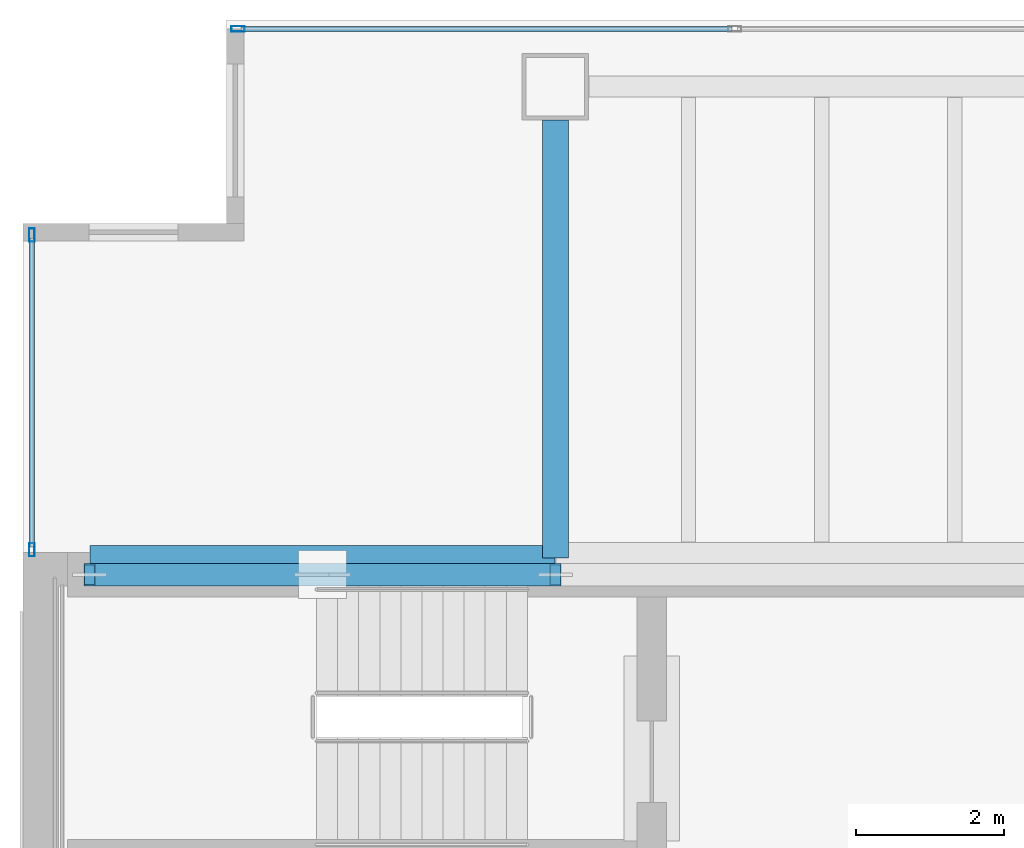
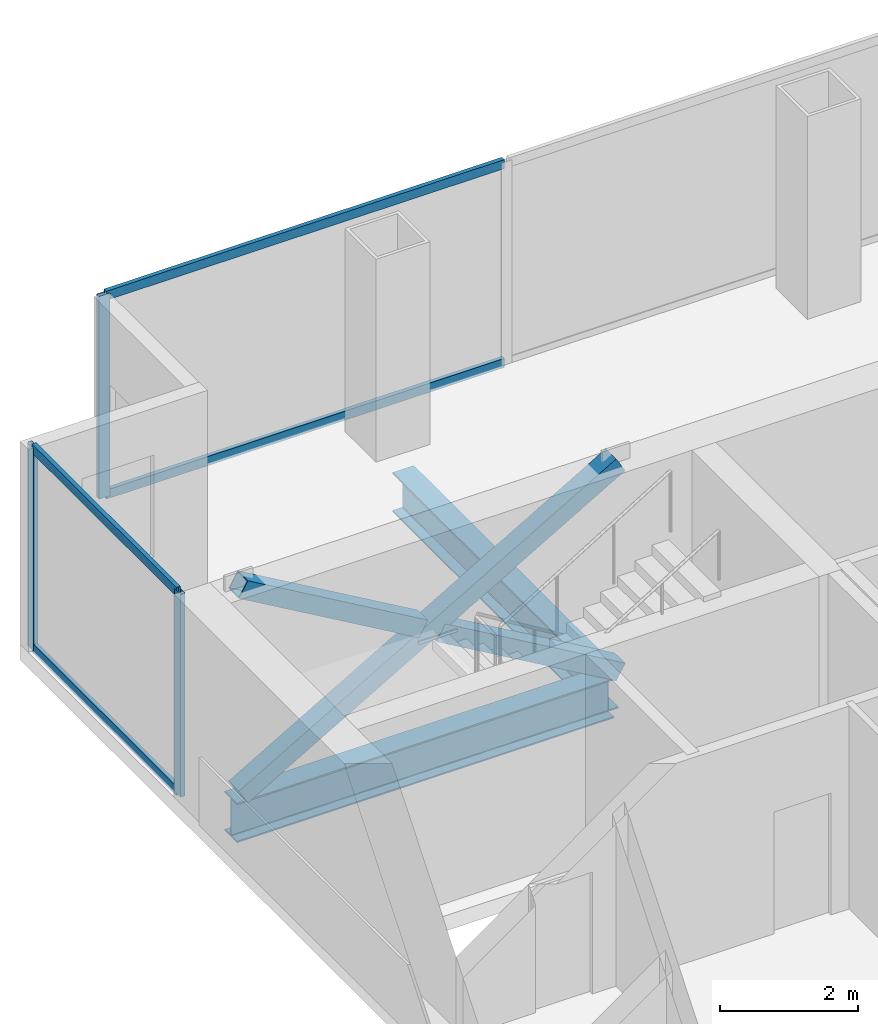
# One storey, part 16 of 24: 10 members, 2 beams, 2 elements without a shape of their own.
"""IFC4 building model written with IfcOpenShell, lengths in metres."""

from ifc_helpers import new_model, si_unit, direction, frame, origin, origin_2d, place, context, subcontext, project, spatial, hollow_rectangle, i_section, extrude, material, material_profile, profile_set, type_object, element, aggregate, save


model = new_model("IFC4")

# Units and contexts
model_context = context("Model", 3, precision=1e-05, world=origin(), true_north=direction((0.0, 1.0)))
body_context = subcontext(model_context, "Body", "Model", "MODEL_VIEW")
ifc_project = project(units=[si_unit("LENGTHUNIT", "METRE"), si_unit("AREAUNIT", "SQUARE_METRE"), si_unit("VOLUMEUNIT", "CUBIC_METRE"), si_unit("PLANEANGLEUNIT", "RADIAN"), si_unit("MASSUNIT", "GRAM", prefix="KILO")], contexts=[model_context])

# Site, building, storey
site_placement = place(None, origin())
site = spatial("IfcSite", under=ifc_project, at=site_placement, CompositionType="ELEMENT")
building_placement = place(site_placement, origin())
building = spatial("IfcBuilding", under=site, at=building_placement, Name="Cobrela Telecom Tower", CompositionType="ELEMENT")
storey_placement = place(building_placement, frame((0.0, 0.0, 121.449951171875)))
storey = spatial("IfcBuildingStorey", under=building, at=storey_placement, Name="L30", CompositionType="ELEMENT", Elevation=121.449951171875)

# Beams
ifc_material_1 = material(Name="Steel ASTM A992 Grade 50", Category="steel")
ifc_material_profile_1 = material_profile(ifc_material_1, i_section(OverallWidth=0.35595703125, OverallDepth=0.696044921875, WebThickness=0.015380859375, FlangeThickness=0.024658203125, FilletRadius=0.01806640625, at=origin_2d()), Name="W27X146")
ifc_profile_set_1 = profile_set([ifc_material_profile_1], Name="Steel ASTM A992 Grade 50")
beam_type = type_object("IfcBeamType", Name="BM-GIRD-05", PredefinedType="USERDEFINED", material=ifc_profile_set_1)
beam_1_placement = place(storey_placement, frame((0.905029296875, 35.919921875, -0.617919921875), z_axis=(1.0, 0.0, 0.0), x_axis=(0.0, 1.0, 0.0)))
element("IfcBeam", 1, at=beam_1_placement, inside=storey, type_object=beam_type, Name="L30 Primary Girder X25", ObjectType="GIRDER", PredefinedType="USERDEFINED", context=body_context, shape_type="SweptSolid", body=[
    extrude(i_section(OverallWidth=0.35595703125, OverallDepth=0.696044921875, WebThickness=0.015380859375, FlangeThickness=0.024658203125, FilletRadius=0.01806640625, at=origin_2d()), origin(), (0.0, 0.0, 1.0), 6.2900390625),
])
beam_2_placement = place(storey_placement, frame((7.199951171875, 35.925048828125, -0.617919921875), z_axis=(0.0, 1.0, 0.0), x_axis=(-1.0, 0.0, 0.0)))
element("IfcBeam", 2, at=beam_2_placement, inside=storey, type_object=beam_type, Name="L30 Primary Girder Y32", ObjectType="GIRDER", PredefinedType="USERDEFINED", context=body_context, shape_type="SweptSolid", body=[
    extrude(i_section(OverallWidth=0.35595703125, OverallDepth=0.696044921875, WebThickness=0.015380859375, FlangeThickness=0.024658203125, FilletRadius=0.01806640625, at=origin_2d()), origin(), (0.0, 0.0, 1.0), 5.919921875),
])

# Curtain wall, members
ifc_material_2 = material(Name="Anodized Bronze Aluminium 6063-T6", Category="aluminium")
curtain_wall_type = type_object("IfcCurtainWallType", Name="CW-SYS-TEL", PredefinedType="USERDEFINED", material=ifc_material_2)
curtain_wall_1_placement = place(storey_placement, origin())
curtain_wall_1 = element("IfcCurtainWall", 3, at=curtain_wall_1_placement, inside=storey, type_object=curtain_wall_type, Name="L30 Unitised Bronze Curtain Wall 04", ObjectType="UNITISED CURTAIN WALL", PredefinedType="USERDEFINED")
ifc_material_profile_2 = material_profile(ifc_material_2, hollow_rectangle(XDim=0.074951171875, YDim=0.179931640625, WallThickness=0.00390625, at=origin_2d()), Name="ALU 75x180x4")
ifc_profile_set_2 = profile_set([ifc_material_profile_2], Name="Anodized Bronze Aluminium 6063-T6")
member_type_1 = type_object("IfcMemberType", Name="CW-SYS-TEL-MUL", PredefinedType="MULLION", material=ifc_profile_set_2)
member_1_placement = place(storey_placement, frame((0.1201171875, 36.03759765625, 0.0), z_axis=(0.0, 0.0, 1.0), x_axis=(-1.0, 0.0, 0.0)))
member_1 = element("IfcMember", 4, at=member_1_placement, type_object=member_type_1, Name="CW-TEL mullion 1", PredefinedType="MULLION", context=body_context, shape_type="SweptSolid", body=[
    extrude(hollow_rectangle(XDim=0.074951171875, YDim=0.179931640625, WallThickness=0.00390625, at=origin_2d()), origin(), (0.0, 0.0, 1.0), 3.580078125),
])
member_2_placement = place(storey_placement, frame((0.1201171875, 40.29248046875, 0.0), z_axis=(0.0, 0.0, 1.0), x_axis=(-1.0, 0.0, 0.0)))
member_2 = element("IfcMember", 5, at=member_2_placement, type_object=member_type_1, Name="CW-TEL mullion 2", PredefinedType="MULLION", context=body_context, shape_type="SweptSolid", body=[
    extrude(hollow_rectangle(XDim=0.074951171875, YDim=0.179931640625, WallThickness=0.00390625, at=origin_2d()), origin(), (0.0, 0.0, 1.0), 3.580078125),
])

# Curtain wall, member
curtain_wall_2_placement = place(storey_placement, origin())
curtain_wall_2 = element("IfcCurtainWall", 6, at=curtain_wall_2_placement, inside=storey, type_object=curtain_wall_type, Name="L30 Unitised Bronze Curtain Wall 07", ObjectType="UNITISED CURTAIN WALL", PredefinedType="USERDEFINED")
member_3_placement = place(storey_placement, frame((2.907470703125, 43.080078125, 0.0), z_axis=(0.0, 0.0, 1.0), x_axis=(0.0, 1.0, 0.0)))
member_3 = element("IfcMember", 7, at=member_3_placement, type_object=member_type_1, Name="CW-TEL mullion 1", PredefinedType="MULLION", context=body_context, shape_type="SweptSolid", body=[
    extrude(hollow_rectangle(XDim=0.074951171875, YDim=0.179931640625, WallThickness=0.00390625, at=origin_2d()), origin(), (0.0, 0.0, 1.0), 3.580078125),
])

# Member
ifc_material_profile_3 = material_profile(ifc_material_2, hollow_rectangle(XDim=0.070068359375, YDim=0.159912109375, WallThickness=0.00390625, at=origin_2d()), Name="ALU 70x160x4")
ifc_profile_set_3 = profile_set([ifc_material_profile_3], Name="Anodized Bronze Aluminium 6063-T6")
member_type_2 = type_object("IfcMemberType", Name="CW-SYS-TEL-TRN", PredefinedType="USERDEFINED", material=ifc_profile_set_3)
member_4_placement = place(storey_placement, frame((0.1201171875, 36.074951171875, 0.03515625), z_axis=(0.0, 1.0, 0.0), x_axis=(-1.0, 0.0, 0.0)))
member_4 = element("IfcMember", 8, at=member_4_placement, type_object=member_type_2, Name="CW-TEL transom 1.1", ObjectType="TRANSOM", PredefinedType="USERDEFINED", context=body_context, shape_type="SweptSolid", body=[
    extrude(hollow_rectangle(XDim=0.070068359375, YDim=0.159912109375, WallThickness=0.00390625, at=origin_2d()), origin(), (0.0, 0.0, 1.0), 4.179931640625),
])

member_5_placement = place(storey_placement, frame((0.1201171875, 36.074951171875, 3.545166015625), z_axis=(0.0, 1.0, 0.0), x_axis=(-1.0, 0.0, 0.0)))
member_5 = element("IfcMember", 9, at=member_5_placement, type_object=member_type_2, Name="CW-TEL transom 1.2", ObjectType="TRANSOM", PredefinedType="USERDEFINED", context=body_context, shape_type="SweptSolid", body=[
    extrude(hollow_rectangle(XDim=0.070068359375, YDim=0.159912109375, WallThickness=0.00390625, at=origin_2d()), origin(), (0.0, 0.0, 1.0), 4.179931640625),
])

aggregate(curtain_wall_1, [member_1, member_2, member_4, member_5])

member_6_placement = place(storey_placement, frame((2.945068359375, 43.080078125, 0.03515625), z_axis=(1.0, 0.0, 0.0), x_axis=(0.0, 1.0, 0.0)))
member_6 = element("IfcMember", 10, at=member_6_placement, type_object=member_type_2, Name="CW-TEL transom 1.1", ObjectType="TRANSOM", PredefinedType="USERDEFINED", context=body_context, shape_type="SweptSolid", body=[
    extrude(hollow_rectangle(XDim=0.070068359375, YDim=0.159912109375, WallThickness=0.00390625, at=origin_2d()), origin(), (0.0, 0.0, 1.0), 6.640869140625),
])

member_7_placement = place(storey_placement, frame((2.945068359375, 43.080078125, 3.545166015625), z_axis=(1.0, 0.0, 0.0), x_axis=(0.0, 1.0, 0.0)))
member_7 = element("IfcMember", 11, at=member_7_placement, type_object=member_type_2, Name="CW-TEL transom 1.2", ObjectType="TRANSOM", PredefinedType="USERDEFINED", context=body_context, shape_type="SweptSolid", body=[
    extrude(hollow_rectangle(XDim=0.070068359375, YDim=0.159912109375, WallThickness=0.00390625, at=origin_2d()), origin(), (0.0, 0.0, 1.0), 6.640869140625),
])

aggregate(curtain_wall_2, [member_3, member_6, member_7])

# Members
ifc_material_3 = material(Name="Steel ASTM A572 Grade 50", Category="steel")
ifc_material_profile_4 = material_profile(ifc_material_3, hollow_rectangle(XDim=0.300048828125, YDim=0.300048828125, WallThickness=0.01611328125, at=origin_2d()), Name="HSS 300x300x16")
ifc_profile_set_4 = profile_set([ifc_material_profile_4], Name="Steel ASTM A572 Grade 50")
member_type_3 = type_object("IfcMemberType", Name="MBR-EXO-03", PredefinedType="BRACE", material=ifc_profile_set_4)
member_8_placement = place(storey_placement, frame((0.89990234375, 35.699951171875, -0.0400390625), z_axis=(0.864665946149, 0.0, 0.502347291791), x_axis=(0.0, 1.0, 0.0)))
element("IfcMember", 12, at=member_8_placement, inside=storey, type_object=member_type_3, Name="L30 Core Flange Steel X-Brace Continuous A", PredefinedType="BRACE", context=body_context, shape_type="SweptSolid", body=[
    extrude(hollow_rectangle(XDim=0.300048828125, YDim=0.300048828125, WallThickness=0.01611328125, at=origin_2d()), origin(), (0.0, 0.0, 1.0), 7.2861328125),
])
member_9_placement = place(storey_placement, frame((7.199951171875, 35.699951171875, -0.0400390625), z_axis=(-0.864666885148, 0.0, 0.502345675535), x_axis=(0.0, -1.0, 0.0)))
element("IfcMember", 13, at=member_9_placement, inside=storey, type_object=member_type_3, Name="L30 Core Flange Steel X-Brace Split B1", PredefinedType="BRACE", context=body_context, shape_type="SweptSolid", body=[
    extrude(hollow_rectangle(XDim=0.300048828125, YDim=0.300048828125, WallThickness=0.01611328125, at=origin_2d()), origin(), (0.0, 0.0, 1.0), 3.474853515625),
])
member_10_placement = place(storey_placement, frame((3.90478515625, 35.699951171875, 1.87451171875), z_axis=(-0.864684613256, 0.0, 0.502315159634), x_axis=(0.0, -1.0, 0.0)))
element("IfcMember", 14, at=member_10_placement, inside=storey, type_object=member_type_3, Name="L30 Core Flange Steel X-Brace Split B2", PredefinedType="BRACE", context=body_context, shape_type="SweptSolid", body=[
    extrude(hollow_rectangle(XDim=0.300048828125, YDim=0.300048828125, WallThickness=0.01611328125, at=origin_2d()), origin(), (0.0, 0.0, 1.0), 3.47509765625),
])

save(model, "model.ifc")
